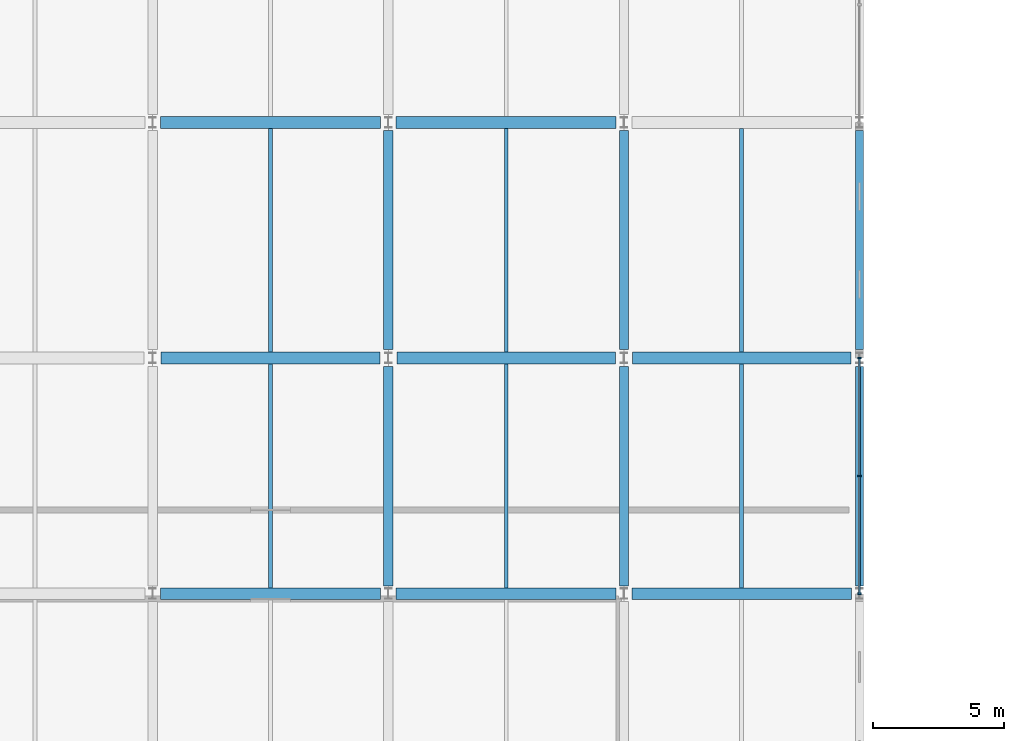
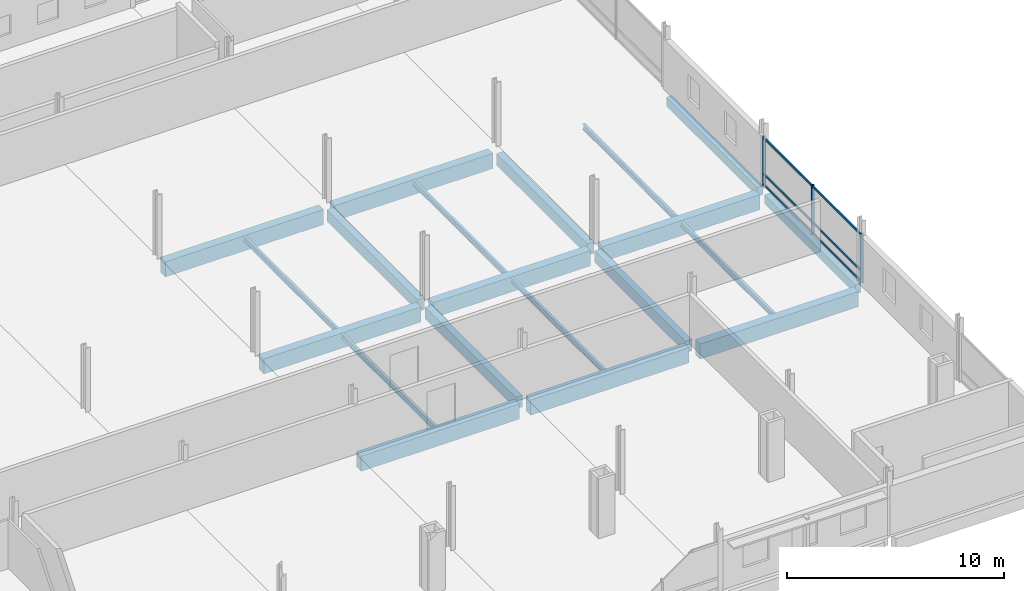
# One storey, part 50 of 132: 20 beams, 9 members, 1 element without a shape of its own.
"""IFC4 building model written with IfcOpenShell, lengths in metres."""

from ifc_helpers import new_model, si_unit, direction, frame, origin, origin_2d, place, context, subcontext, project, spatial, rectangle, i_section, extrude, material, material_profile, profile_set, type_object, element, aggregate, save


model = new_model("IFC4")

# Units and contexts
model_context = context("Model", 3, precision=1e-05, world=origin(), true_north=direction((0.0, 1.0)))
body_context = subcontext(model_context, "Body", "Model", "MODEL_VIEW")
ifc_project = project(units=[si_unit("LENGTHUNIT", "METRE"), si_unit("AREAUNIT", "SQUARE_METRE"), si_unit("VOLUMEUNIT", "CUBIC_METRE"), si_unit("PLANEANGLEUNIT", "RADIAN"), si_unit("MASSUNIT", "GRAM", prefix="KILO")], contexts=[model_context])

# Site, building, storey
site_placement = place(None, origin())
site = spatial("IfcSite", under=ifc_project, at=site_placement, CompositionType="ELEMENT")
building_placement = place(site_placement, origin())
building = spatial("IfcBuilding", under=site, at=building_placement, Name="Tharagai Park Tramway Depot", CompositionType="ELEMENT")
storey_placement = place(building_placement, frame((0.0, 0.0, 4.800048828125)))
storey = spatial("IfcBuildingStorey", under=building, at=storey_placement, Name="L01", CompositionType="ELEMENT", Elevation=4.800048828125)

# Beams
ifc_material_1 = material(Name="Concrete M35", Category="concrete")
ifc_material_profile_1 = material_profile(ifc_material_1, rectangle(XDim=0.449951171875, YDim=0.85009765625, at=origin_2d()), Name="RC 450x850")
ifc_profile_set_1 = profile_set([ifc_material_profile_1], Name="Concrete M35")
beam_type_1 = type_object("IfcBeamType", Name="BM-03", PredefinedType="BEAM", material=ifc_profile_set_1)
for number, where, z_axis, x_axis, name in (
    (1, (63.300048828125, 63.0, -0.705078125), (1.0, 0.0, 0.0), (0.0, 1.0, 0.0), "L01 Grid Beam BM-03"),
    (2, (72.300048828125, 63.0, -0.705078125), (1.0, 0.0, 0.0), (0.0, 1.0, 0.0), "L01 Grid Beam BM-03"),
    (3, (81.300048828125, 63.0, -0.705078125), (1.0, 0.0, 0.0), (0.0, 1.0, 0.0), "L01 Grid Beam BM-03"),
):
    element("IfcBeam", number, at=place(storey_placement, frame(where, z_axis=z_axis, x_axis=x_axis)), inside=storey, type_object=beam_type_1, Name=name, PredefinedType="BEAM", context=body_context, shape_type="SweptSolid", body=[
        extrude(rectangle(XDim=0.449951171875, YDim=0.85009765625, at=origin_2d()), origin(), (0.0, 0.0, 1.0), 8.39990234375),
    ])
for number, where, z_axis, x_axis, name in (
    (4, (63.324951171875, 72.0, -0.705078125), (1.0, 0.0, 0.0), (0.0, 1.0, 0.0), "L01 Grid Beam BM-03"),
    (5, (72.324951171875, 72.0, -0.705078125), (1.0, 0.0, 0.0), (0.0, 1.0, 0.0), "L01 Grid Beam BM-03"),
    (6, (81.324951171875, 72.0, -0.705078125), (1.0, 0.0, 0.0), (0.0, 1.0, 0.0), "L01 Grid Beam BM-03"),
):
    element("IfcBeam", number, at=place(storey_placement, frame(where, z_axis=z_axis, x_axis=x_axis)), inside=storey, type_object=beam_type_1, Name=name, PredefinedType="BEAM", context=body_context, shape_type="SweptSolid", body=[
        extrude(rectangle(XDim=0.449951171875, YDim=0.85009765625, at=origin_2d()), origin(), (0.0, 0.0, 1.0), 8.35009765625),
    ])
for number, where, z_axis, x_axis, name in (
    (7, (63.300048828125, 81.0, -0.705078125), (1.0, 0.0, 0.0), (0.0, 1.0, 0.0), "L01 Grid Beam BM-03"),
    (8, (72.300048828125, 81.0, -0.705078125), (1.0, 0.0, 0.0), (0.0, 1.0, 0.0), "L01 Grid Beam BM-03"),
):
    element("IfcBeam", number, at=place(storey_placement, frame(where, z_axis=z_axis, x_axis=x_axis)), inside=storey, type_object=beam_type_1, Name=name, PredefinedType="BEAM", context=body_context, shape_type="SweptSolid", body=[
        extrude(rectangle(XDim=0.449951171875, YDim=0.85009765625, at=origin_2d()), origin(), (0.0, 0.0, 1.0), 8.39990234375),
    ])
ifc_material_profile_2 = material_profile(ifc_material_1, rectangle(XDim=0.35009765625, YDim=0.64990234375, at=origin_2d()), Name="RC 350x650")
ifc_profile_set_2 = profile_set([ifc_material_profile_2], Name="Concrete M35")
beam_type_2 = type_object("IfcBeamType", Name="BM-13", PredefinedType="BEAM", material=ifc_profile_set_2)
for number, where, z_axis, x_axis, name in (
    (9, (72.0, 63.300048828125, -0.60498046875), (0.0, 1.0, 0.0), (-1.0, 0.0, 0.0), "L01 Grid Beam BM-13"),
    (10, (72.0, 72.324951171875, -0.60498046875), (0.0, 1.0, 0.0), (-1.0, 0.0, 0.0), "L01 Grid Beam BM-13"),
    (11, (81.0, 63.300048828125, -0.60498046875), (0.0, 1.0, 0.0), (-1.0, 0.0, 0.0), "L01 Grid Beam BM-13"),
    (12, (81.0, 72.324951171875, -0.60498046875), (0.0, 1.0, 0.0), (-1.0, 0.0, 0.0), "L01 Grid Beam BM-13"),
):
    element("IfcBeam", number, at=place(storey_placement, frame(where, z_axis=z_axis, x_axis=x_axis)), inside=storey, type_object=beam_type_2, Name=name, PredefinedType="BEAM", context=body_context, shape_type="SweptSolid", body=[
        extrude(rectangle(XDim=0.35009765625, YDim=0.64990234375, at=origin_2d()), origin(), (0.0, 0.0, 1.0), 8.375),
    ])

# Curtain wall, members
ifc_material_2 = material(Name="Anodised aluminium", Category="aluminium")
curtain_wall_type = type_object("IfcCurtainWallType", Name="CW-07", PredefinedType="NOTDEFINED", material=ifc_material_2)
curtain_wall_placement = place(storey_placement, origin())
curtain_wall = element("IfcCurtainWall", 13, at=curtain_wall_placement, inside=storey, type_object=curtain_wall_type, Name="L01 V2 Side Mullioned Curtain Wall CW-07", PredefinedType="NOTDEFINED")
ifc_material_profile_3 = material_profile(ifc_material_2, rectangle(XDim=0.06494140625, YDim=0.1201171875, at=origin_2d()), Name="ALU 65x120")
ifc_profile_set_3 = profile_set([ifc_material_profile_3], Name="Anodised aluminium")
member_type_1 = type_object("IfcMemberType", Name="CM-01", PredefinedType="USERDEFINED", material=ifc_profile_set_3)
member_1_placement = place(storey_placement, frame((90.0, 63.010986328125, 0.06005859375), z_axis=(0.0, 1.0, 0.0), x_axis=(-1.0, 0.0, 0.0)))
member_1 = element("IfcMember", 14, at=member_1_placement, type_object=member_type_1, Name="L01 V2 Side Mullioned Curtain Wall Transom 1.1", ObjectType="TRANSOM", PredefinedType="USERDEFINED", context=body_context, shape_type="SweptSolid", body=[
    extrude(rectangle(XDim=0.06494140625, YDim=0.1201171875, at=origin_2d()), origin(), (0.0, 0.0, 1.0), 4.47412109375),
])
member_2_placement = place(storey_placement, frame((90.0, 63.010986328125, 0.64990234375), z_axis=(0.0, 1.0, 0.0), x_axis=(-1.0, 0.0, 0.0)))
member_2 = element("IfcMember", 15, at=member_2_placement, type_object=member_type_1, Name="L01 V2 Side Mullioned Curtain Wall Transom 1.2", ObjectType="TRANSOM", PredefinedType="USERDEFINED", context=body_context, shape_type="SweptSolid", body=[
    extrude(rectangle(XDim=0.06494140625, YDim=0.1201171875, at=origin_2d()), origin(), (0.0, 0.0, 1.0), 4.47412109375),
])
member_3_placement = place(storey_placement, frame((90.0, 63.010986328125, 2.669921875), z_axis=(0.0, 1.0, 0.0), x_axis=(-1.0, 0.0, 0.0)))
member_3 = element("IfcMember", 16, at=member_3_placement, type_object=member_type_1, Name="L01 V2 Side Mullioned Curtain Wall Transom 1.3", ObjectType="TRANSOM", PredefinedType="USERDEFINED", context=body_context, shape_type="SweptSolid", body=[
    extrude(rectangle(XDim=0.06494140625, YDim=0.1201171875, at=origin_2d()), origin(), (0.0, 0.0, 1.0), 4.47412109375),
])
member_4_placement = place(storey_placement, frame((90.0, 67.514892578125, 0.06005859375), z_axis=(0.0, 1.0, 0.0), x_axis=(-1.0, 0.0, 0.0)))
member_4 = element("IfcMember", 17, at=member_4_placement, type_object=member_type_1, Name="L01 V2 Side Mullioned Curtain Wall Transom 2.1", ObjectType="TRANSOM", PredefinedType="USERDEFINED", context=body_context, shape_type="SweptSolid", body=[
    extrude(rectangle(XDim=0.06494140625, YDim=0.1201171875, at=origin_2d()), origin(), (0.0, 0.0, 1.0), 4.47412109375),
])
member_5_placement = place(storey_placement, frame((90.0, 67.514892578125, 0.64990234375), z_axis=(0.0, 1.0, 0.0), x_axis=(-1.0, 0.0, 0.0)))
member_5 = element("IfcMember", 18, at=member_5_placement, type_object=member_type_1, Name="L01 V2 Side Mullioned Curtain Wall Transom 2.2", ObjectType="TRANSOM", PredefinedType="USERDEFINED", context=body_context, shape_type="SweptSolid", body=[
    extrude(rectangle(XDim=0.06494140625, YDim=0.1201171875, at=origin_2d()), origin(), (0.0, 0.0, 1.0), 4.47412109375),
])
member_6_placement = place(storey_placement, frame((90.0, 67.514892578125, 2.669921875), z_axis=(0.0, 1.0, 0.0), x_axis=(-1.0, 0.0, 0.0)))
member_6 = element("IfcMember", 19, at=member_6_placement, type_object=member_type_1, Name="L01 V2 Side Mullioned Curtain Wall Transom 2.3", ObjectType="TRANSOM", PredefinedType="USERDEFINED", context=body_context, shape_type="SweptSolid", body=[
    extrude(rectangle(XDim=0.06494140625, YDim=0.1201171875, at=origin_2d()), origin(), (0.0, 0.0, 1.0), 4.47412109375),
])
ifc_material_profile_4 = material_profile(ifc_material_2, rectangle(XDim=0.06494140625, YDim=0.14990234375, at=origin_2d()), Name="ALU 65x150")
ifc_profile_set_4 = profile_set([ifc_material_profile_4], Name="Anodised aluminium")
member_type_2 = type_object("IfcMemberType", Name="CM-03", PredefinedType="MULLION", material=ifc_profile_set_4)
member_7_placement = place(storey_placement, frame((90.0, 62.99609375, -0.005126953125), z_axis=(0.0, 0.0, 1.0), x_axis=(0.0, 1.0, 0.0)))
member_7 = element("IfcMember", 20, at=member_7_placement, type_object=member_type_2, Name="L01 V2 Side Mullioned Curtain Wall Mullion 1", PredefinedType="MULLION", context=body_context, shape_type="SweptSolid", body=[
    extrude(rectangle(XDim=0.06494140625, YDim=0.14990234375, at=origin_2d()), origin(), (0.0, 0.0, 1.0), 2.760009765625),
])
member_8_placement = place(storey_placement, frame((90.0, 67.5, -0.005126953125), z_axis=(0.0, 0.0, 1.0), x_axis=(0.0, 1.0, 0.0)))
member_8 = element("IfcMember", 21, at=member_8_placement, type_object=member_type_2, Name="L01 V2 Side Mullioned Curtain Wall Mullion 2", PredefinedType="MULLION", context=body_context, shape_type="SweptSolid", body=[
    extrude(rectangle(XDim=0.06494140625, YDim=0.14990234375, at=origin_2d()), origin(), (0.0, 0.0, 1.0), 2.760009765625),
])
member_9_placement = place(storey_placement, frame((90.0, 72.00390625, -0.005126953125), z_axis=(0.0, 0.0, 1.0), x_axis=(0.0, 1.0, 0.0)))
member_9 = element("IfcMember", 22, at=member_9_placement, type_object=member_type_2, Name="L01 V2 Side Mullioned Curtain Wall Mullion 3", PredefinedType="MULLION", context=body_context, shape_type="SweptSolid", body=[
    extrude(rectangle(XDim=0.06494140625, YDim=0.14990234375, at=origin_2d()), origin(), (0.0, 0.0, 1.0), 2.760009765625),
])
aggregate(curtain_wall, [member_7, member_8, member_9, member_1, member_2, member_3, member_4, member_5, member_6])

# Beams
ifc_material_3 = material(Name="Steel E350", Category="steel")
ifc_material_profile_5 = material_profile(ifc_material_3, i_section(OverallWidth=0.139892578125, OverallDepth=0.300048828125, WebThickness=0.0078125, FlangeThickness=0.01318359375, FilletRadius=0.013916015625, at=origin_2d()), Name="ISMB 300")
ifc_profile_set_5 = profile_set([ifc_material_profile_5], Name="Steel E350")
beam_type_3 = type_object("IfcBeamType", Name="JT-03", PredefinedType="JOIST", material=ifc_profile_set_5)
for number, where, z_axis, x_axis, name in (
    (23, (76.5, 63.22509765625, -0.429931640625), (0.0, 1.0, 0.0), (-1.0, 0.0, 0.0), "L01 Secondary Joist JT-03"),
    (24, (76.5, 72.22509765625, -0.429931640625), (0.0, 1.0, 0.0), (-1.0, 0.0, 0.0), "L01 Secondary Joist JT-03"),
):
    element("IfcBeam", number, at=place(storey_placement, frame(where, z_axis=z_axis, x_axis=x_axis)), inside=storey, type_object=beam_type_3, Name=name, PredefinedType="JOIST", context=body_context, shape_type="SweptSolid", body=[
        extrude(i_section(OverallWidth=0.139892578125, OverallDepth=0.300048828125, WebThickness=0.0078125, FlangeThickness=0.01318359375, FilletRadius=0.013916015625, at=origin_2d()), origin(), (0.0, 0.0, 1.0), 8.5498046875),
    ])
ifc_material_profile_6 = material_profile(ifc_material_3, i_section(OverallWidth=0.14990234375, OverallDepth=0.300048828125, WebThickness=0.006591796875, FlangeThickness=0.009521484375, FilletRadius=0.011962890625, at=origin_2d()), Name="ISLB 300")
ifc_profile_set_6 = profile_set([ifc_material_profile_6], Name="Steel E350")
beam_type_4 = type_object("IfcBeamType", Name="JT-07", PredefinedType="JOIST", material=ifc_profile_set_6)
for number, where, z_axis, x_axis, name in (
    (25, (67.5, 63.22509765625, -0.429931640625), (0.0, 1.0, 0.0), (-1.0, 0.0, 0.0), "L01 Secondary Joist JT-07"),
    (26, (67.5, 72.22509765625, -0.429931640625), (0.0, 1.0, 0.0), (-1.0, 0.0, 0.0), "L01 Secondary Joist JT-07"),
    (27, (85.5, 63.22509765625, -0.429931640625), (0.0, 1.0, 0.0), (-1.0, 0.0, 0.0), "L01 Secondary Joist JT-07"),
    (28, (85.5, 72.22509765625, -0.429931640625), (0.0, 1.0, 0.0), (-1.0, 0.0, 0.0), "L01 Secondary Joist JT-07"),
):
    element("IfcBeam", number, at=place(storey_placement, frame(where, z_axis=z_axis, x_axis=x_axis)), inside=storey, type_object=beam_type_4, Name=name, PredefinedType="JOIST", context=body_context, shape_type="SweptSolid", body=[
        extrude(i_section(OverallWidth=0.14990234375, OverallDepth=0.300048828125, WebThickness=0.006591796875, FlangeThickness=0.009521484375, FilletRadius=0.011962890625, at=origin_2d()), origin(), (0.0, 0.0, 1.0), 8.5498046875),
    ])
ifc_material_profile_7 = material_profile(ifc_material_1, rectangle(XDim=0.300048828125, YDim=0.5, at=origin_2d()), Name="RC 300x500")
ifc_profile_set_7 = profile_set([ifc_material_profile_7], Name="Concrete M35")
beam_type_5 = type_object("IfcBeamType", Name="SP-03", PredefinedType="SPANDREL", material=ifc_profile_set_7)
for number, where, z_axis, x_axis, name in (
    (29, (90.0, 63.300048828125, -0.530029296875), (0.0, 1.0, 0.0), (-1.0, 0.0, 0.0), "L01 Grid Beam SP-03"),
    (30, (90.0, 72.324951171875, -0.530029296875), (0.0, 1.0, 0.0), (-1.0, 0.0, 0.0), "L01 Grid Beam SP-03"),
):
    element("IfcBeam", number, at=place(storey_placement, frame(where, z_axis=z_axis, x_axis=x_axis)), inside=storey, type_object=beam_type_5, Name=name, PredefinedType="SPANDREL", context=body_context, shape_type="SweptSolid", body=[
        extrude(rectangle(XDim=0.300048828125, YDim=0.5, at=origin_2d()), origin(), (0.0, 0.0, 1.0), 8.375),
    ])

save(model, "model.ifc")
